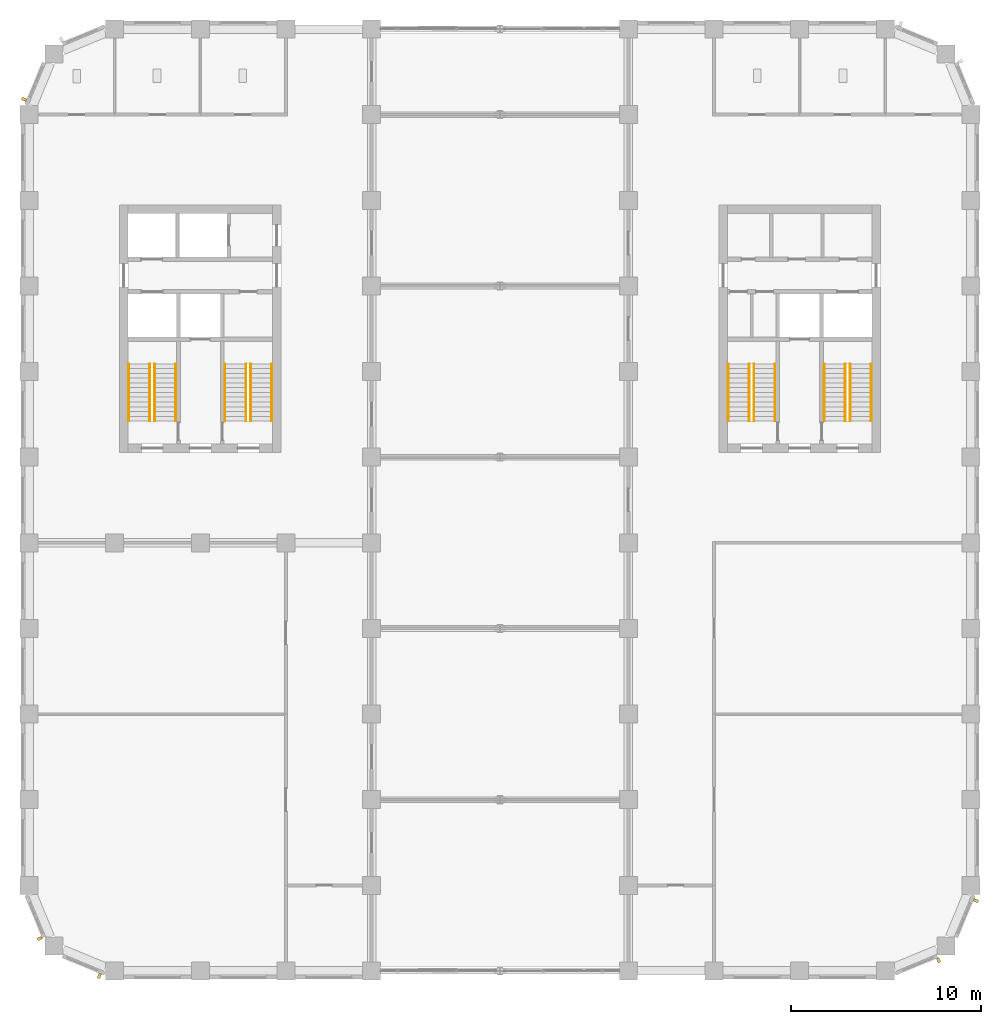
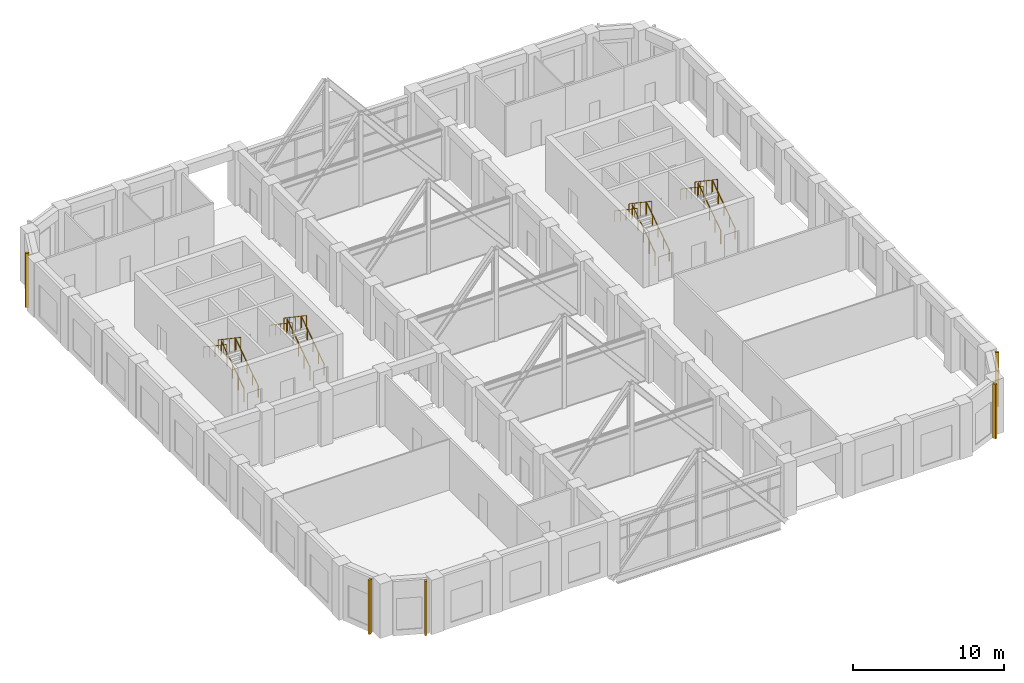
# One storey, part 13 of 15: 16 railings, 5 shading devices.
"""IFC4 building model written with IfcOpenShell, lengths in metres."""

import ifcopenshell
import ifcopenshell.guid

model = None  # the IFC model being written
_history = None  # IfcOwnerHistory: only IFC2X3 demands one
_inside = {}  # id of a spatial element -> (the spatial element, [elements in it])
_under = {}  # id of a project, library or spatial element -> (it, [spatial elements below it])
_declared = {}  # id of a project -> (the project, [libraries it declares])
_typed = {}  # id of a type object -> (the type object, [elements of that type])
_made_of = {}  # id of a material, layer set ... -> (it, [elements and type objects made of it])


def new_model(schema):
    """Start an empty IFC model of exactly this schema.

    Asked for "IFC4X3", IfcOpenShell would pick the latest addendum, in which some entities
    have other attributes; the version numbers below select the first issue.
    IFC2X3 requires an IfcOwnerHistory on every rooted entity: one is made here for all.
    """
    global model, _history
    if schema == "IFC4X3":
        model = ifcopenshell.file(schema_version=(4, 3, 0, 0))
    else:
        model = ifcopenshell.file(schema=schema)
    _inside.clear()
    _under.clear()
    _declared.clear()
    _typed.clear()
    _made_of.clear()
    _history = None
    if model.schema == "IFC2X3":
        org = make("IfcOrganization", Name="unknown")
        user = make(
            "IfcPersonAndOrganization",
            ThePerson=make("IfcPerson", FamilyName="unknown"),
            TheOrganization=org,
        )
        app = make(
            "IfcApplication",
            ApplicationDeveloper=org,
            Version="unknown",
            ApplicationFullName="unknown",
            ApplicationIdentifier="unknown",
        )
        _history = make(
            "IfcOwnerHistory",
            OwningUser=user,
            OwningApplication=app,
            ChangeAction="ADDED",
            CreationDate=0,
        )
    return model


def make(cls, **values):
    """One entity of the class cls with the attributes given. An attribute that is None is left unset."""
    return model.create_entity(
        cls, **{name: value for name, value in values.items() if value is not None}
    )


def rooted(cls, **values):
    """An entity with a GlobalId (a new one), such as an element, a storey or a relation."""
    return make(cls, GlobalId=ifcopenshell.guid.new(), OwnerHistory=_history, **values)


def si_unit(unit_type, name, prefix=None):
    """IfcSIUnit, for example si_unit("LENGTHUNIT", "METRE", prefix="MILLI")."""
    return make("IfcSIUnit", UnitType=unit_type, Prefix=prefix, Name=name)


def assignment(units):
    """IfcUnitAssignment: the units of a project."""
    return None if units is None else make("IfcUnitAssignment", Units=units)


def point(xyz):
    """IfcCartesianPoint."""
    return None if xyz is None else make("IfcCartesianPoint", Coordinates=xyz)


def direction(xyz):
    """IfcDirection."""
    return None if xyz is None else make("IfcDirection", DirectionRatios=xyz)


def frame(location, z_axis=None, x_axis=None):
    """IfcAxis2Placement3D, a coordinate frame: its origin and axes. An axis left out is left unset."""
    return make(
        "IfcAxis2Placement3D",
        Location=point(location),
        Axis=direction(z_axis),
        RefDirection=direction(x_axis),
    )


def frame_2d(location, x_axis=None):
    """IfcAxis2Placement2D, a coordinate frame in the plane: its origin and x axis."""
    return make(
        "IfcAxis2Placement2D", Location=point(location), RefDirection=direction(x_axis)
    )


def origin():
    """The frame at (0, 0, 0) with its axes left unset."""
    return frame((0.0, 0.0, 0.0))


def origin_2d():
    """The frame at (0, 0) in the plane with its x axis left unset."""
    return frame_2d((0.0, 0.0))


def place(relative_to, where):
    """IfcLocalPlacement: puts the frame where relative to a parent placement (None: the world)."""
    return make(
        "IfcLocalPlacement", PlacementRelTo=relative_to, RelativePlacement=where
    )


def context(
    kind, dimensions, precision=None, world=None, true_north=None, identifier=None
):
    """IfcGeometricRepresentationContext, for example the 3D "Model" context."""
    return make(
        "IfcGeometricRepresentationContext",
        ContextIdentifier=identifier,
        ContextType=kind,
        CoordinateSpaceDimension=dimensions,
        Precision=precision,
        WorldCoordinateSystem=world,
        TrueNorth=true_north,
    )


def subcontext(parent, identifier, kind, view, scale=None):
    """IfcGeometricRepresentationSubContext, for example "Body" below "Model"."""
    return make(
        "IfcGeometricRepresentationSubContext",
        ContextIdentifier=identifier,
        ContextType=kind,
        ParentContext=parent,
        TargetScale=scale,
        TargetView=view,
    )


def project(units=None, contexts=None):
    """IfcProject with its units and contexts."""
    return rooted(
        "IfcProject",
        Name="project",
        RepresentationContexts=contexts,
        UnitsInContext=assignment(units),
    )


def spatial(cls, under=None, at=None, **own):
    """A site, building, storey or space (cls), placed at a placement, below another one or the project."""
    s = rooted(cls, ObjectPlacement=at, **own)
    if under is not None:
        _under.setdefault(under.id(), (under, []))[1].append(s)
    return s


def profile(cls, at=None, kind="AREA", **sizes):
    """A parametric profile (cls). Its sizes go by their IFC names, for example OverallWidth=200.0."""
    return make(cls, ProfileType=kind, Position=at, **sizes)


def rectangle(**sizes):
    """IfcRectangleProfileDef."""
    return profile("IfcRectangleProfileDef", **sizes)


def circle(**sizes):
    """IfcCircleProfileDef."""
    return profile("IfcCircleProfileDef", **sizes)


def extrude(swept, where, along, depth):
    """IfcExtrudedAreaSolid: the profile swept, set in the frame where, extruded along a direction by depth."""
    return make(
        "IfcExtrudedAreaSolid",
        SweptArea=swept,
        Position=where,
        ExtrudedDirection=direction(along),
        Depth=depth,
    )


def shape(context_of_items, identifier, shape_type, items):
    """IfcShapeRepresentation: the items that make up one representation, for example the "Body"."""
    return make(
        "IfcShapeRepresentation",
        ContextOfItems=context_of_items,
        RepresentationIdentifier=identifier,
        RepresentationType=shape_type,
        Items=items,
    )


def material(Name=None, Category=None):
    """IfcMaterial."""
    return make("IfcMaterial", Name=Name, Category=Category)


def made_of(thing, what):
    """Note that an element or type object is made of a material, layer set ...; save() writes the relation."""
    if what is not None:
        _made_of.setdefault(what.id(), (what, []))[1].append(thing)
    return thing


def type_object(cls, material=None, **own):
    """A type object (cls), such as IfcWallType, which elements share."""
    return made_of(rooted(cls, **own), material)


def element(
    cls,
    number,
    at=None,
    inside=None,
    cuts=None,
    type_object=None,
    material=None,
    context=None,
    identifier="Body",
    shape_type=None,
    held_by="IfcProductDefinitionShape",
    body=None,
    shapes=None,
    **own,
):
    """One element of the class cls, such as IfcWall. Its Tag is "e" and its number.

    at: its placement. inside: the storey or other place that contains it. cuts: it is an
    opening in that element (IfcRelVoidsElement). A single representation is given by context,
    identifier, shape_type and body (its items); several are given by shapes. held_by: the class
    of the entity that holds the representations. save() writes the other relations.
    """
    e = rooted(cls, Tag="e%d" % number, ObjectPlacement=at, **own)
    if body is not None:
        shapes = [shape(context, identifier, shape_type, body)]
    if shapes is not None:
        e.Representation = make(held_by, Representations=shapes)
    if inside is not None:
        _inside.setdefault(inside.id(), (inside, []))[1].append(e)
    if cuts is not None:
        rooted(
            "IfcRelVoidsElement", RelatingBuildingElement=cuts, RelatedOpeningElement=e
        )
    if type_object is not None:
        _typed.setdefault(type_object.id(), (type_object, []))[1].append(e)
    return made_of(e, material)


def aggregate(whole, parts):
    """IfcRelAggregates: a whole, such as a stair, and the parts it consists of."""
    return rooted("IfcRelAggregates", RelatingObject=whole, RelatedObjects=parts)


def save(model, path):
    """Write the relations noted so far, then the file.

    IfcRelAggregates (storeys below a building ...), IfcRelContainedInSpatialStructure (elements
    in a storey), IfcRelDefinesByType, IfcRelAssociatesMaterial and IfcRelDeclares: one each for
    every whole, place, type object, material and project.
    """
    for whole, parts in _under.values():
        aggregate(whole, parts)
    for where, things in _inside.values():
        rooted(
            "IfcRelContainedInSpatialStructure",
            RelatedElements=things,
            RelatingStructure=where,
        )
    for kind, things in _typed.values():
        rooted("IfcRelDefinesByType", RelatedObjects=things, RelatingType=kind)
    for what, things in _made_of.values():
        rooted("IfcRelAssociatesMaterial", RelatedObjects=things, RelatingMaterial=what)
    for by, libraries in _declared.values():
        rooted("IfcRelDeclares", RelatingContext=by, RelatedDefinitions=libraries)
    model.write(path)


model = new_model("IFC4")

# Units and contexts
model_context = context("Model", 3, precision=1e-05, world=origin(), true_north=direction((0.0, 1.0)))
body_context = subcontext(model_context, "Body", "Model", "MODEL_VIEW")
ifc_project = project(units=[si_unit("LENGTHUNIT", "METRE"), si_unit("AREAUNIT", "SQUARE_METRE"), si_unit("VOLUMEUNIT", "CUBIC_METRE"), si_unit("PLANEANGLEUNIT", "RADIAN"), si_unit("MASSUNIT", "GRAM", prefix="KILO")], contexts=[model_context])

# Site, building, storey
site_placement = place(None, origin())
site = spatial("IfcSite", under=ifc_project, at=site_placement, CompositionType="ELEMENT")
building_placement = place(site_placement, origin())
building = spatial("IfcBuilding", under=site, at=building_placement, Name="Girih Gate Residences", CompositionType="ELEMENT")
storey_placement = place(building_placement, frame((0.0, 0.0, 168.199951171875)))
storey = spatial("IfcBuildingStorey", under=building, at=storey_placement, Name="L46", CompositionType="ELEMENT", Elevation=168.199951171875)

# Shading devices
ifc_material_1 = material(Name="Precast concrete C50/60", Category="concrete")
shading_device_type = type_object("IfcShadingDeviceType", Name="Corner rib 150x250", PredefinedType="USERDEFINED", material=ifc_material_1)
for number, where, z_axis, x_axis, name in (
    (1, (0.562255859375, 1.705322265625, 0.0), (0.0, 0.0, 1.0), (0.382683432365, -0.923879532511, 0.0), "Corner rib SW0000_0045.0"),
    (2, (3.691650390625, -0.260498046875, 0.0), (0.0, 0.0, 1.0), (0.923879532511, -0.382683432365, 0.0), "Corner rib SW0013_0013.0"),
    (3, (47.794677734375, 0.562255859375, 0.0), (0.0, 0.0, 1.0), (0.923879532511, 0.382683432365, 0.0), "Corner rib SE0450_0000.0"),
    (4, (49.760498046875, 3.691650390625, 0.0), (0.0, 0.0, 1.0), (0.382683432365, 0.923879532511, 0.0), "Corner rib SE0482_0013.0"),
    (5, (-0.260498046875, 45.808349609375, 0.0), (0.0, 0.0, 1.0), (-0.382683432365, -0.923879532511, 0.0), "Corner rib NW0013_0482.0"),
):
    element("IfcShadingDevice", number, at=place(storey_placement, frame(where, z_axis=z_axis, x_axis=x_axis)), inside=storey, type_object=shading_device_type, Name=name, ObjectType="FIN", PredefinedType="USERDEFINED", context=body_context, shape_type="SweptSolid", body=[
        extrude(rectangle(XDim=0.14990234375, YDim=0.25, at=origin_2d()), origin(), (0.0, 0.0, 1.0), 4.39990234375),
    ])

# Railings
ifc_material_2 = material(Name="Stainless steel", Category="steel")
railing_type_1 = type_object("IfcRailingType", Name="Stair guard 1100", PredefinedType="GUARDRAIL", material=ifc_material_2)
railing_1_placement = place(storey_placement, frame((6.60009765625, 28.89990234375, 0.169189453125)))
element("IfcRailing", 6, at=railing_1_placement, inside=storey, type_object=railing_type_1, Name="L46 ST-W1 stair guard 1", PredefinedType="GUARDRAIL", context=body_context, shape_type="SweptSolid", body=[
    extrude(circle(Radius=0.02392578125, at=origin_2d()), frame((0.0, 0.0, 1.076171875), z_axis=(0.0, 0.828110434718, 0.560564989908), x_axis=(-1.0, 0.0, 0.0)), (0.0, 0.0, 1.0), 3.622802734375),
    extrude(circle(Radius=0.02099609375, at=origin_2d()), origin(), (0.0, 0.0, 1.0), 1.052001953125),
    extrude(circle(Radius=0.02099609375, at=origin_2d()), frame((0.0, 0.75, 0.5078125)), (0.0, 0.0, 1.0), 1.052001953125),
    extrude(circle(Radius=0.02099609375, at=origin_2d()), frame((0.0, 1.5, 1.015380859375)), (0.0, 0.0, 1.0), 1.052001953125),
    extrude(circle(Radius=0.02099609375, at=origin_2d()), frame((0.0, 2.25, 1.52294921875)), (0.0, 0.0, 1.0), 1.052001953125),
    extrude(circle(Radius=0.02099609375, at=origin_2d()), frame((0.0, 3.0, 2.03076171875)), (0.0, 0.0, 1.0), 1.052001953125),
])
railing_2_placement = place(storey_placement, frame((6.35009765625, 31.89990234375, 2.369384765625)))
element("IfcRailing", 7, at=railing_2_placement, inside=storey, type_object=railing_type_1, Name="L46 ST-W1 stair guard 2", PredefinedType="GUARDRAIL", context=body_context, shape_type="SweptSolid", body=[
    extrude(circle(Radius=0.02392578125, at=origin_2d()), frame((0.0, 0.0, 1.076171875), z_axis=(0.0, -0.828110434718, 0.560564989908), x_axis=(1.0, 0.0, 0.0)), (0.0, 0.0, 1.0), 3.622802734375),
    extrude(circle(Radius=0.02099609375, at=origin_2d()), origin(), (0.0, 0.0, 1.0), 1.052001953125),
    extrude(circle(Radius=0.02099609375, at=origin_2d()), frame((0.0, -0.75, 0.5078125)), (0.0, 0.0, 1.0), 1.052001953125),
    extrude(circle(Radius=0.02099609375, at=origin_2d()), frame((0.0, -1.5, 1.015380859375)), (0.0, 0.0, 1.0), 1.052001953125),
    extrude(circle(Radius=0.02099609375, at=origin_2d()), frame((0.0, -2.25, 1.52294921875)), (0.0, 0.0, 1.0), 1.052001953125),
    extrude(circle(Radius=0.02099609375, at=origin_2d()), frame((0.0, -3.0, 2.03076171875)), (0.0, 0.0, 1.0), 1.052001953125),
])
railing_3_placement = place(storey_placement, frame((11.64990234375, 28.89990234375, 0.169189453125)))
element("IfcRailing", 8, at=railing_3_placement, inside=storey, type_object=railing_type_1, Name="L46 ST-W2 stair guard 1", PredefinedType="GUARDRAIL", context=body_context, shape_type="SweptSolid", body=[
    extrude(circle(Radius=0.02392578125, at=origin_2d()), frame((0.0, 0.0, 1.076171875), z_axis=(0.0, 0.828110434718, 0.560564989908), x_axis=(-1.0, 0.0, 0.0)), (0.0, 0.0, 1.0), 3.622802734375),
    extrude(circle(Radius=0.02099609375, at=origin_2d()), origin(), (0.0, 0.0, 1.0), 1.052001953125),
    extrude(circle(Radius=0.02099609375, at=origin_2d()), frame((0.0, 0.75, 0.5078125)), (0.0, 0.0, 1.0), 1.052001953125),
    extrude(circle(Radius=0.02099609375, at=origin_2d()), frame((0.0, 1.5, 1.015380859375)), (0.0, 0.0, 1.0), 1.052001953125),
    extrude(circle(Radius=0.02099609375, at=origin_2d()), frame((0.0, 2.25, 1.52294921875)), (0.0, 0.0, 1.0), 1.052001953125),
    extrude(circle(Radius=0.02099609375, at=origin_2d()), frame((0.0, 3.0, 2.03076171875)), (0.0, 0.0, 1.0), 1.052001953125),
])
railing_4_placement = place(storey_placement, frame((11.39990234375, 31.89990234375, 2.369384765625)))
element("IfcRailing", 9, at=railing_4_placement, inside=storey, type_object=railing_type_1, Name="L46 ST-W2 stair guard 2", PredefinedType="GUARDRAIL", context=body_context, shape_type="SweptSolid", body=[
    extrude(circle(Radius=0.02392578125, at=origin_2d()), frame((0.0, 0.0, 1.076171875), z_axis=(0.0, -0.828110434718, 0.560564989908), x_axis=(1.0, 0.0, 0.0)), (0.0, 0.0, 1.0), 3.622802734375),
    extrude(circle(Radius=0.02099609375, at=origin_2d()), origin(), (0.0, 0.0, 1.0), 1.052001953125),
    extrude(circle(Radius=0.02099609375, at=origin_2d()), frame((0.0, -0.75, 0.5078125)), (0.0, 0.0, 1.0), 1.052001953125),
    extrude(circle(Radius=0.02099609375, at=origin_2d()), frame((0.0, -1.5, 1.015380859375)), (0.0, 0.0, 1.0), 1.052001953125),
    extrude(circle(Radius=0.02099609375, at=origin_2d()), frame((0.0, -2.25, 1.52294921875)), (0.0, 0.0, 1.0), 1.052001953125),
    extrude(circle(Radius=0.02099609375, at=origin_2d()), frame((0.0, -3.0, 2.03076171875)), (0.0, 0.0, 1.0), 1.052001953125),
])
railing_5_placement = place(storey_placement, frame((43.14990234375, 28.89990234375, 0.169189453125)))
element("IfcRailing", 10, at=railing_5_placement, inside=storey, type_object=railing_type_1, Name="L46 ST-E1 stair guard 1", PredefinedType="GUARDRAIL", context=body_context, shape_type="SweptSolid", body=[
    extrude(circle(Radius=0.02392578125, at=origin_2d()), frame((0.0, 0.0, 1.076171875), z_axis=(0.0, 0.828110434718, 0.560564989908), x_axis=(-1.0, 0.0, 0.0)), (0.0, 0.0, 1.0), 3.622802734375),
    extrude(circle(Radius=0.02099609375, at=origin_2d()), origin(), (0.0, 0.0, 1.0), 1.052001953125),
    extrude(circle(Radius=0.02099609375, at=origin_2d()), frame((0.0, 0.75, 0.5078125)), (0.0, 0.0, 1.0), 1.052001953125),
    extrude(circle(Radius=0.02099609375, at=origin_2d()), frame((0.0, 1.5, 1.015380859375)), (0.0, 0.0, 1.0), 1.052001953125),
    extrude(circle(Radius=0.02099609375, at=origin_2d()), frame((0.0, 2.25, 1.52294921875)), (0.0, 0.0, 1.0), 1.052001953125),
    extrude(circle(Radius=0.02099609375, at=origin_2d()), frame((0.0, 3.0, 2.03076171875)), (0.0, 0.0, 1.0), 1.052001953125),
])
railing_6_placement = place(storey_placement, frame((42.89990234375, 31.89990234375, 2.369384765625)))
element("IfcRailing", 11, at=railing_6_placement, inside=storey, type_object=railing_type_1, Name="L46 ST-E1 stair guard 2", PredefinedType="GUARDRAIL", context=body_context, shape_type="SweptSolid", body=[
    extrude(circle(Radius=0.02392578125, at=origin_2d()), frame((0.0, 0.0, 1.076171875), z_axis=(0.0, -0.828110434718, 0.560564989908), x_axis=(1.0, 0.0, 0.0)), (0.0, 0.0, 1.0), 3.622802734375),
    extrude(circle(Radius=0.02099609375, at=origin_2d()), origin(), (0.0, 0.0, 1.0), 1.052001953125),
    extrude(circle(Radius=0.02099609375, at=origin_2d()), frame((0.0, -0.75, 0.5078125)), (0.0, 0.0, 1.0), 1.052001953125),
    extrude(circle(Radius=0.02099609375, at=origin_2d()), frame((0.0, -1.5, 1.015380859375)), (0.0, 0.0, 1.0), 1.052001953125),
    extrude(circle(Radius=0.02099609375, at=origin_2d()), frame((0.0, -2.25, 1.52294921875)), (0.0, 0.0, 1.0), 1.052001953125),
    extrude(circle(Radius=0.02099609375, at=origin_2d()), frame((0.0, -3.0, 2.03076171875)), (0.0, 0.0, 1.0), 1.052001953125),
])
railing_7_placement = place(storey_placement, frame((38.10009765625, 28.89990234375, 0.169189453125)))
element("IfcRailing", 12, at=railing_7_placement, inside=storey, type_object=railing_type_1, Name="L46 ST-E2 stair guard 1", PredefinedType="GUARDRAIL", context=body_context, shape_type="SweptSolid", body=[
    extrude(circle(Radius=0.02392578125, at=origin_2d()), frame((0.0, 0.0, 1.076171875), z_axis=(0.0, 0.828110434718, 0.560564989908), x_axis=(-1.0, 0.0, 0.0)), (0.0, 0.0, 1.0), 3.622802734375),
    extrude(circle(Radius=0.02099609375, at=origin_2d()), origin(), (0.0, 0.0, 1.0), 1.052001953125),
    extrude(circle(Radius=0.02099609375, at=origin_2d()), frame((0.0, 0.75, 0.5078125)), (0.0, 0.0, 1.0), 1.052001953125),
    extrude(circle(Radius=0.02099609375, at=origin_2d()), frame((0.0, 1.5, 1.015380859375)), (0.0, 0.0, 1.0), 1.052001953125),
    extrude(circle(Radius=0.02099609375, at=origin_2d()), frame((0.0, 2.25, 1.52294921875)), (0.0, 0.0, 1.0), 1.052001953125),
    extrude(circle(Radius=0.02099609375, at=origin_2d()), frame((0.0, 3.0, 2.03076171875)), (0.0, 0.0, 1.0), 1.052001953125),
])
railing_8_placement = place(storey_placement, frame((37.85009765625, 31.89990234375, 2.369384765625)))
element("IfcRailing", 13, at=railing_8_placement, inside=storey, type_object=railing_type_1, Name="L46 ST-E2 stair guard 2", PredefinedType="GUARDRAIL", context=body_context, shape_type="SweptSolid", body=[
    extrude(circle(Radius=0.02392578125, at=origin_2d()), frame((0.0, 0.0, 1.076171875), z_axis=(0.0, -0.828110434718, 0.560564989908), x_axis=(1.0, 0.0, 0.0)), (0.0, 0.0, 1.0), 3.622802734375),
    extrude(circle(Radius=0.02099609375, at=origin_2d()), origin(), (0.0, 0.0, 1.0), 1.052001953125),
    extrude(circle(Radius=0.02099609375, at=origin_2d()), frame((0.0, -0.75, 0.5078125)), (0.0, 0.0, 1.0), 1.052001953125),
    extrude(circle(Radius=0.02099609375, at=origin_2d()), frame((0.0, -1.5, 1.015380859375)), (0.0, 0.0, 1.0), 1.052001953125),
    extrude(circle(Radius=0.02099609375, at=origin_2d()), frame((0.0, -2.25, 1.52294921875)), (0.0, 0.0, 1.0), 1.052001953125),
    extrude(circle(Radius=0.02099609375, at=origin_2d()), frame((0.0, -3.0, 2.03076171875)), (0.0, 0.0, 1.0), 1.052001953125),
])
railing_type_2 = type_object("IfcRailingType", Name="Stair handrail 900", PredefinedType="HANDRAIL", material=ifc_material_2)
railing_9_placement = place(storey_placement, frame((7.699951171875, 28.89990234375, 0.169189453125)))
element("IfcRailing", 14, at=railing_9_placement, inside=storey, type_object=railing_type_2, Name="L46 ST-W1 stair handrail 1", PredefinedType="HANDRAIL", context=body_context, shape_type="SweptSolid", body=[
    extrude(circle(Radius=0.02392578125, at=origin_2d()), frame((0.0, 0.0, 0.8857421875), z_axis=(0.0, 0.828110434718, 0.560564989908), x_axis=(-1.0, 0.0, 0.0)), (0.0, 0.0, 1.0), 3.622802734375),
    extrude(circle(Radius=0.02099609375, at=origin_2d()), origin(), (0.0, 0.0, 1.0), 0.86181640625),
    extrude(circle(Radius=0.02099609375, at=origin_2d()), frame((0.0, 0.75, 0.5078125)), (0.0, 0.0, 1.0), 0.86181640625),
    extrude(circle(Radius=0.02099609375, at=origin_2d()), frame((0.0, 1.5, 1.015380859375)), (0.0, 0.0, 1.0), 0.86181640625),
    extrude(circle(Radius=0.02099609375, at=origin_2d()), frame((0.0, 2.25, 1.52294921875)), (0.0, 0.0, 1.0), 0.86181640625),
    extrude(circle(Radius=0.02099609375, at=origin_2d()), frame((0.0, 3.0, 2.03076171875)), (0.0, 0.0, 1.0), 0.86181640625),
])
railing_10_placement = place(storey_placement, frame((5.25, 31.89990234375, 2.369384765625)))
element("IfcRailing", 15, at=railing_10_placement, inside=storey, type_object=railing_type_2, Name="L46 ST-W1 stair handrail 2", PredefinedType="HANDRAIL", context=body_context, shape_type="SweptSolid", body=[
    extrude(circle(Radius=0.02392578125, at=origin_2d()), frame((0.0, 0.0, 0.8857421875), z_axis=(0.0, -0.828110434718, 0.560564989908), x_axis=(1.0, 0.0, 0.0)), (0.0, 0.0, 1.0), 3.622802734375),
    extrude(circle(Radius=0.02099609375, at=origin_2d()), origin(), (0.0, 0.0, 1.0), 0.86181640625),
    extrude(circle(Radius=0.02099609375, at=origin_2d()), frame((0.0, -0.75, 0.5078125)), (0.0, 0.0, 1.0), 0.86181640625),
    extrude(circle(Radius=0.02099609375, at=origin_2d()), frame((0.0, -1.5, 1.015380859375)), (0.0, 0.0, 1.0), 0.86181640625),
    extrude(circle(Radius=0.02099609375, at=origin_2d()), frame((0.0, -2.25, 1.52294921875)), (0.0, 0.0, 1.0), 0.86181640625),
    extrude(circle(Radius=0.02099609375, at=origin_2d()), frame((0.0, -3.0, 2.03076171875)), (0.0, 0.0, 1.0), 0.86181640625),
])
railing_11_placement = place(storey_placement, frame((12.75, 28.89990234375, 0.169189453125)))
element("IfcRailing", 16, at=railing_11_placement, inside=storey, type_object=railing_type_2, Name="L46 ST-W2 stair handrail 1", PredefinedType="HANDRAIL", context=body_context, shape_type="SweptSolid", body=[
    extrude(circle(Radius=0.02392578125, at=origin_2d()), frame((0.0, 0.0, 0.8857421875), z_axis=(0.0, 0.828110434718, 0.560564989908), x_axis=(-1.0, 0.0, 0.0)), (0.0, 0.0, 1.0), 3.622802734375),
    extrude(circle(Radius=0.02099609375, at=origin_2d()), origin(), (0.0, 0.0, 1.0), 0.86181640625),
    extrude(circle(Radius=0.02099609375, at=origin_2d()), frame((0.0, 0.75, 0.5078125)), (0.0, 0.0, 1.0), 0.86181640625),
    extrude(circle(Radius=0.02099609375, at=origin_2d()), frame((0.0, 1.5, 1.015380859375)), (0.0, 0.0, 1.0), 0.86181640625),
    extrude(circle(Radius=0.02099609375, at=origin_2d()), frame((0.0, 2.25, 1.52294921875)), (0.0, 0.0, 1.0), 0.86181640625),
    extrude(circle(Radius=0.02099609375, at=origin_2d()), frame((0.0, 3.0, 2.03076171875)), (0.0, 0.0, 1.0), 0.86181640625),
])
railing_12_placement = place(storey_placement, frame((10.300048828125, 31.89990234375, 2.369384765625)))
element("IfcRailing", 17, at=railing_12_placement, inside=storey, type_object=railing_type_2, Name="L46 ST-W2 stair handrail 2", PredefinedType="HANDRAIL", context=body_context, shape_type="SweptSolid", body=[
    extrude(circle(Radius=0.02392578125, at=origin_2d()), frame((0.0, 0.0, 0.8857421875), z_axis=(0.0, -0.828110434718, 0.560564989908), x_axis=(1.0, 0.0, 0.0)), (0.0, 0.0, 1.0), 3.622802734375),
    extrude(circle(Radius=0.02099609375, at=origin_2d()), origin(), (0.0, 0.0, 1.0), 0.86181640625),
    extrude(circle(Radius=0.02099609375, at=origin_2d()), frame((0.0, -0.75, 0.5078125)), (0.0, 0.0, 1.0), 0.86181640625),
    extrude(circle(Radius=0.02099609375, at=origin_2d()), frame((0.0, -1.5, 1.015380859375)), (0.0, 0.0, 1.0), 0.86181640625),
    extrude(circle(Radius=0.02099609375, at=origin_2d()), frame((0.0, -2.25, 1.52294921875)), (0.0, 0.0, 1.0), 0.86181640625),
    extrude(circle(Radius=0.02099609375, at=origin_2d()), frame((0.0, -3.0, 2.03076171875)), (0.0, 0.0, 1.0), 0.86181640625),
])
railing_13_placement = place(storey_placement, frame((44.25, 28.89990234375, 0.169189453125)))
element("IfcRailing", 18, at=railing_13_placement, inside=storey, type_object=railing_type_2, Name="L46 ST-E1 stair handrail 1", PredefinedType="HANDRAIL", context=body_context, shape_type="SweptSolid", body=[
    extrude(circle(Radius=0.02392578125, at=origin_2d()), frame((0.0, 0.0, 0.8857421875), z_axis=(0.0, 0.828110434718, 0.560564989908), x_axis=(-1.0, 0.0, 0.0)), (0.0, 0.0, 1.0), 3.622802734375),
    extrude(circle(Radius=0.02099609375, at=origin_2d()), origin(), (0.0, 0.0, 1.0), 0.86181640625),
    extrude(circle(Radius=0.02099609375, at=origin_2d()), frame((0.0, 0.75, 0.5078125)), (0.0, 0.0, 1.0), 0.86181640625),
    extrude(circle(Radius=0.02099609375, at=origin_2d()), frame((0.0, 1.5, 1.015380859375)), (0.0, 0.0, 1.0), 0.86181640625),
    extrude(circle(Radius=0.02099609375, at=origin_2d()), frame((0.0, 2.25, 1.52294921875)), (0.0, 0.0, 1.0), 0.86181640625),
    extrude(circle(Radius=0.02099609375, at=origin_2d()), frame((0.0, 3.0, 2.03076171875)), (0.0, 0.0, 1.0), 0.86181640625),
])
railing_14_placement = place(storey_placement, frame((41.800048828125, 31.89990234375, 2.369384765625)))
element("IfcRailing", 19, at=railing_14_placement, inside=storey, type_object=railing_type_2, Name="L46 ST-E1 stair handrail 2", PredefinedType="HANDRAIL", context=body_context, shape_type="SweptSolid", body=[
    extrude(circle(Radius=0.02392578125, at=origin_2d()), frame((0.0, 0.0, 0.8857421875), z_axis=(0.0, -0.828110434718, 0.560564989908), x_axis=(1.0, 0.0, 0.0)), (0.0, 0.0, 1.0), 3.622802734375),
    extrude(circle(Radius=0.02099609375, at=origin_2d()), origin(), (0.0, 0.0, 1.0), 0.86181640625),
    extrude(circle(Radius=0.02099609375, at=origin_2d()), frame((0.0, -0.75, 0.5078125)), (0.0, 0.0, 1.0), 0.86181640625),
    extrude(circle(Radius=0.02099609375, at=origin_2d()), frame((0.0, -1.5, 1.015380859375)), (0.0, 0.0, 1.0), 0.86181640625),
    extrude(circle(Radius=0.02099609375, at=origin_2d()), frame((0.0, -2.25, 1.52294921875)), (0.0, 0.0, 1.0), 0.86181640625),
    extrude(circle(Radius=0.02099609375, at=origin_2d()), frame((0.0, -3.0, 2.03076171875)), (0.0, 0.0, 1.0), 0.86181640625),
])
railing_15_placement = place(storey_placement, frame((39.199951171875, 28.89990234375, 0.169189453125)))
element("IfcRailing", 20, at=railing_15_placement, inside=storey, type_object=railing_type_2, Name="L46 ST-E2 stair handrail 1", PredefinedType="HANDRAIL", context=body_context, shape_type="SweptSolid", body=[
    extrude(circle(Radius=0.02392578125, at=origin_2d()), frame((0.0, 0.0, 0.8857421875), z_axis=(0.0, 0.828110434718, 0.560564989908), x_axis=(-1.0, 0.0, 0.0)), (0.0, 0.0, 1.0), 3.622802734375),
    extrude(circle(Radius=0.02099609375, at=origin_2d()), origin(), (0.0, 0.0, 1.0), 0.86181640625),
    extrude(circle(Radius=0.02099609375, at=origin_2d()), frame((0.0, 0.75, 0.5078125)), (0.0, 0.0, 1.0), 0.86181640625),
    extrude(circle(Radius=0.02099609375, at=origin_2d()), frame((0.0, 1.5, 1.015380859375)), (0.0, 0.0, 1.0), 0.86181640625),
    extrude(circle(Radius=0.02099609375, at=origin_2d()), frame((0.0, 2.25, 1.52294921875)), (0.0, 0.0, 1.0), 0.86181640625),
    extrude(circle(Radius=0.02099609375, at=origin_2d()), frame((0.0, 3.0, 2.03076171875)), (0.0, 0.0, 1.0), 0.86181640625),
])
railing_16_placement = place(storey_placement, frame((36.75, 31.89990234375, 2.369384765625)))
element("IfcRailing", 21, at=railing_16_placement, inside=storey, type_object=railing_type_2, Name="L46 ST-E2 stair handrail 2", PredefinedType="HANDRAIL", context=body_context, shape_type="SweptSolid", body=[
    extrude(circle(Radius=0.02392578125, at=origin_2d()), frame((0.0, 0.0, 0.8857421875), z_axis=(0.0, -0.828110434718, 0.560564989908), x_axis=(1.0, 0.0, 0.0)), (0.0, 0.0, 1.0), 3.622802734375),
    extrude(circle(Radius=0.02099609375, at=origin_2d()), origin(), (0.0, 0.0, 1.0), 0.86181640625),
    extrude(circle(Radius=0.02099609375, at=origin_2d()), frame((0.0, -0.75, 0.5078125)), (0.0, 0.0, 1.0), 0.86181640625),
    extrude(circle(Radius=0.02099609375, at=origin_2d()), frame((0.0, -1.5, 1.015380859375)), (0.0, 0.0, 1.0), 0.86181640625),
    extrude(circle(Radius=0.02099609375, at=origin_2d()), frame((0.0, -2.25, 1.52294921875)), (0.0, 0.0, 1.0), 0.86181640625),
    extrude(circle(Radius=0.02099609375, at=origin_2d()), frame((0.0, -3.0, 2.03076171875)), (0.0, 0.0, 1.0), 0.86181640625),
])

save(model, "model.ifc")
